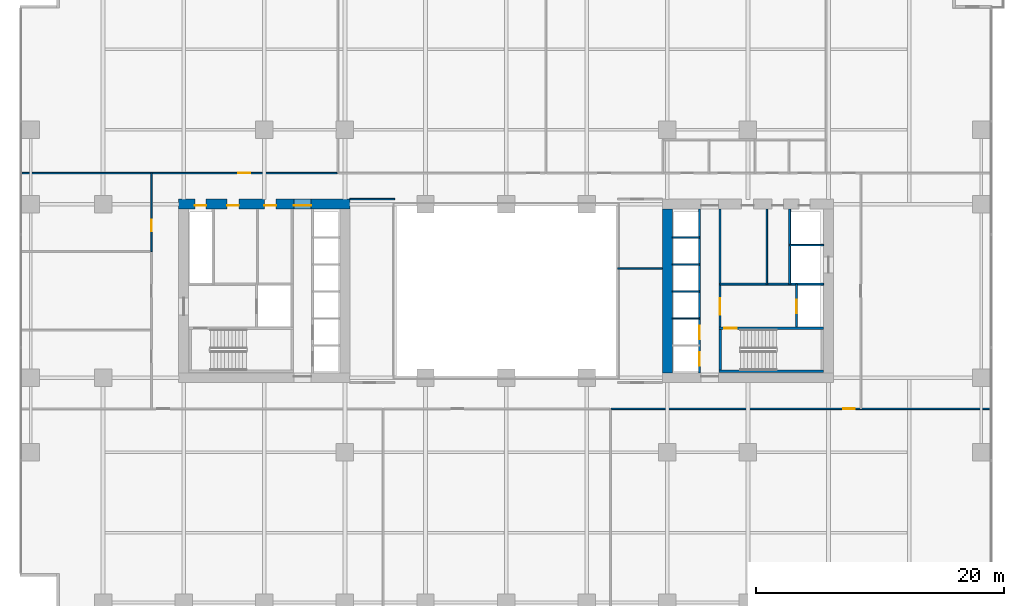
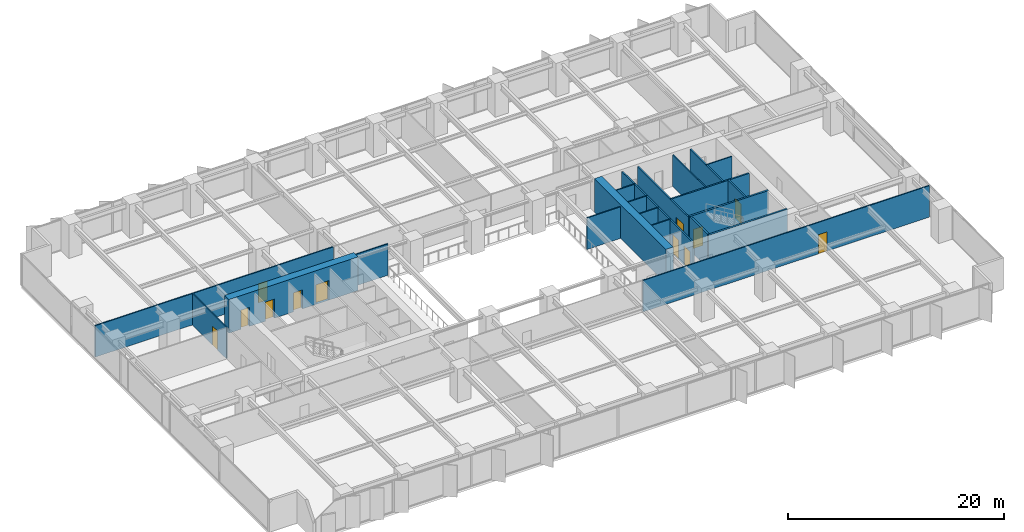
# One storey, part 14 of 20: 21 walls, 12 doors, 12 openings.
"""IFC4 building model written with IfcOpenShell, lengths in metres."""

from ifc_helpers import new_model, si_unit, direction, frame, frame_2d, origin, place, context, subcontext, project, spatial, rectangle, extrude, material, layer, layer_set, type_object, element, fill, save


model = new_model("IFC4")

# Units and contexts
model_context = context("Model", 3, precision=1e-05, world=origin(), true_north=direction((0.0, 1.0)))
body_context = subcontext(model_context, "Body", "Model", "MODEL_VIEW")
ifc_project = project(units=[si_unit("LENGTHUNIT", "METRE"), si_unit("AREAUNIT", "SQUARE_METRE"), si_unit("VOLUMEUNIT", "CUBIC_METRE"), si_unit("PLANEANGLEUNIT", "RADIAN"), si_unit("MASSUNIT", "GRAM", prefix="KILO")], contexts=[model_context])

# Site, building, storey
site_placement = place(None, origin())
site = spatial("IfcSite", under=ifc_project, at=site_placement, CompositionType="ELEMENT")
building_placement = place(site_placement, origin())
building = spatial("IfcBuilding", under=site, at=building_placement, Name="Putna Gate Headquarters", CompositionType="ELEMENT")
storey_placement = place(building_placement, frame((0.0, 0.0, 58.199951171875)))
storey = spatial("IfcBuildingStorey", under=building, at=storey_placement, Name="L13", CompositionType="ELEMENT", Elevation=58.199951171875)

# Wall, openings, doors
ifc_material_1 = material(Name="Concrete C60/75", Category="concrete")
ifc_layer_1 = layer(ifc_material_1, 0.800048828125)
ifc_layer_set_1 = layer_set([ifc_layer_1], Name="Concrete C60/75")
wall_type_1 = type_object("IfcWallType", Name="WALL-CORE-800", PredefinedType="SHEAR", material=ifc_layer_set_1)
wall_1_placement = place(storey_placement, frame((12.60009765625, 33.0, 0.0), z_axis=(0.0, 0.0, 1.0), x_axis=(1.0, 0.0, 0.0)))
wall_1 = element("IfcWall", 1, at=wall_1_placement, inside=storey, type_object=wall_type_1, Name="L13 WC Split Core Shear Wall N", PredefinedType="SHEAR", context=body_context, shape_type="SweptSolid", body=[
    extrude(rectangle(XDim=13.7998046875, YDim=0.800048828125, at=frame_2d((6.89990234375, 0.0))), origin(), (0.0, 0.0, 1.0), 3.800048828125),
])
opening_1_placement = place(wall_1_placement, frame((1.300048828125, 0.0, 0.0)))
opening_1 = element("IfcOpeningElement", 2, at=opening_1_placement, cuts=wall_1, Name="Opening RD-90", PredefinedType="OPENING", context=body_context, shape_type="SweptSolid", body=[
    extrude(rectangle(XDim=0.89990234375, YDim=2.14990234375, at=frame_2d((0.449951171875, 1.074951171875))), frame((0.0, 0.409912109375, 0.0), z_axis=(0.0, -1.0, 0.0), x_axis=(1.0, 0.0, 0.0)), (0.0, 0.0, 1.0), 0.820068359375),
])
opening_2_placement = place(wall_1_placement, frame((3.89990234375, 0.0, 0.0)))
opening_2 = element("IfcOpeningElement", 3, at=opening_2_placement, cuts=wall_1, Name="Opening IDS-95", PredefinedType="OPENING", context=body_context, shape_type="SweptSolid", body=[
    extrude(rectangle(XDim=0.949951171875, YDim=2.14990234375, at=frame_2d((0.47509765625, 1.074951171875))), frame((0.0, 0.409912109375, 0.0), z_axis=(0.0, -1.0, 0.0), x_axis=(1.0, 0.0, 0.0)), (0.0, 0.0, 1.0), 0.820068359375),
])
opening_3_placement = place(wall_1_placement, frame((6.89990234375, 0.0, 0.0)))
opening_3 = element("IfcOpeningElement", 4, at=opening_3_placement, cuts=wall_1, Name="Opening IDS-95", PredefinedType="OPENING", context=body_context, shape_type="SweptSolid", body=[
    extrude(rectangle(XDim=0.949951171875, YDim=2.14990234375, at=frame_2d((0.47509765625, 1.074951171875))), frame((0.0, 0.409912109375, 0.0), z_axis=(0.0, -1.0, 0.0), x_axis=(1.0, 0.0, 0.0)), (0.0, 0.0, 1.0), 0.820068359375),
])
opening_4_placement = place(wall_1_placement, frame((9.280029296875, 0.0, 0.0)))
opening_4 = element("IfcOpeningElement", 5, at=opening_4_placement, cuts=wall_1, Name="Opening FDD-140", PredefinedType="OPENING", context=body_context, shape_type="SweptSolid", body=[
    extrude(rectangle(XDim=1.39990234375, YDim=2.199951171875, at=frame_2d((0.699951171875, 1.10009765625))), frame((0.0, 0.409912109375, 0.0), z_axis=(0.0, -1.0, 0.0), x_axis=(1.0, 0.0, 0.0)), (0.0, 0.0, 1.0), 0.820068359375),
])
ifc_material_2 = material(Name="Double steel fire door", Category="steel")
door_type_1 = type_object("IfcDoorType", Name="DOOR-FIRE-DBL-1400", OperationType="DOUBLE_DOOR_SINGLE_SWING", PredefinedType="DOOR", material=ifc_material_2)
door_1_placement = place(opening_4_placement, origin())
door_1 = element("IfcDoor", 6, at=door_1_placement, inside=storey, type_object=door_type_1, Name="L13 West Lift Lobby North Door", OperationType="DOUBLE_DOOR_SINGLE_SWING", OverallHeight=2.199951171875, OverallWidth=1.39990234375, PredefinedType="DOOR", context=body_context, shape_type="SweptSolid", body=[
    extrude(rectangle(XDim=1.39990234375, YDim=2.199951171875, at=frame_2d((0.699951171875, 1.10009765625))), frame((0.0, -0.0751953125, 0.0), z_axis=(0.0, -1.0, 0.0), x_axis=(1.0, 0.0, 0.0)), (0.0, 0.0, 1.0), 0.050048828125),
])
fill(opening_4, door_1)
ifc_material_3 = material(Name="Fire-rated service timber door", Category="wood")
door_type_2 = type_object("IfcDoorType", Name="DOOR-INT-950", OperationType="NOTDEFINED", PredefinedType="DOOR", material=ifc_material_3)
door_2_placement = place(opening_2_placement, origin())
door_2 = element("IfcDoor", 7, at=door_2_placement, inside=storey, type_object=door_type_2, Name="L13 Cleaner Store Door", OperationType="SINGLE_SWING_LEFT", OverallHeight=2.14990234375, OverallWidth=0.949951171875, PredefinedType="DOOR", context=body_context, shape_type="SweptSolid", body=[
    extrude(rectangle(XDim=0.949951171875, YDim=2.14990234375, at=frame_2d((0.47509765625, 1.074951171875))), frame((0.0, -0.0751953125, 0.0), z_axis=(0.0, -1.0, 0.0), x_axis=(1.0, 0.0, 0.0)), (0.0, 0.0, 1.0), 0.050048828125),
])
fill(opening_2, door_2)
door_3_placement = place(opening_3_placement, origin())
door_3 = element("IfcDoor", 8, at=door_3_placement, inside=storey, type_object=door_type_2, Name="L13 Comms Plant Door", OperationType="SINGLE_SWING_RIGHT", OverallHeight=2.14990234375, OverallWidth=0.949951171875, PredefinedType="DOOR", context=body_context, shape_type="SweptSolid", body=[
    extrude(rectangle(XDim=0.949951171875, YDim=2.14990234375, at=frame_2d((0.47509765625, 1.074951171875))), frame((0.0, -0.0751953125, 0.0), z_axis=(0.0, -1.0, 0.0), x_axis=(1.0, 0.0, 0.0)), (0.0, 0.0, 1.0), 0.050048828125),
])
fill(opening_3, door_3)
ifc_material_4 = material(Name="Steel riser access fire door", Category="steel")
door_type_3 = type_object("IfcDoorType", Name="DOOR-RISER-900", OperationType="NOTDEFINED", PredefinedType="DOOR", material=ifc_material_4)
door_4_placement = place(opening_1_placement, origin())
door_4 = element("IfcDoor", 9, at=door_4_placement, inside=storey, type_object=door_type_3, Name="L13 West Riser Access Door", OperationType="SINGLE_SWING_RIGHT", OverallHeight=2.14990234375, OverallWidth=0.89990234375, PredefinedType="DOOR", context=body_context, shape_type="SweptSolid", body=[
    extrude(rectangle(XDim=0.89990234375, YDim=2.14990234375, at=frame_2d((0.449951171875, 1.074951171875))), frame((0.0, -0.0751953125, 0.0), z_axis=(0.0, -1.0, 0.0), x_axis=(1.0, 0.0, 0.0)), (0.0, 0.0, 1.0), 0.050048828125),
])
fill(opening_1, door_4)

# Walls
wall_2_placement = place(storey_placement, frame((52.0, 19.39990234375, 0.0), z_axis=(0.0, 0.0, 1.0), x_axis=(0.0, 1.0, 0.0)))
element("IfcWall", 10, at=wall_2_placement, inside=storey, type_object=wall_type_1, Name="L13 EC Split Core Shear Wall W", PredefinedType="SHEAR", context=body_context, shape_type="SweptSolid", body=[
    extrude(rectangle(XDim=13.2001953125, YDim=0.800048828125, at=frame_2d((6.60009765625, 0.0))), origin(), (0.0, 0.0, 1.0), 3.800048828125),
])
ifc_material_5 = material(Name="Acoustic gypsum board on metal stud")
ifc_layer_2 = layer(ifc_material_5, 0.1201171875)
ifc_layer_set_2 = layer_set([ifc_layer_2], Name="Acoustic gypsum board on metal stud")
wall_type_2 = type_object("IfcWallType", Name="WALL-PART-120", PredefinedType="PARTITIONING", material=ifc_layer_set_2)
for number, where, z_axis, x_axis, name in (
    (11, (26.39990234375, 33.39990234375, 0.0), (0.0, 0.0, 1.0), (1.0, 0.0, 0.0), "L13 Interior Wall PART-L13-ATR-W-N"),
    (12, (48.0, 27.800048828125, 0.0), (0.0, 0.0, 1.0), (1.0, 0.0, 0.0), "L13 Interior Wall PART-L13-ATR-E-DIV"),
):
    element("IfcWall", number, at=place(storey_placement, frame(where, z_axis=z_axis, x_axis=x_axis)), inside=storey, type_object=wall_type_2, Name=name, PredefinedType="PARTITIONING", context=body_context, shape_type="SweptSolid", body=[
        extrude(rectangle(XDim=3.60009765625, YDim=0.1201171875, at=frame_2d((1.800048828125, 0.0))), origin(), (0.0, 0.0, 1.0), 3.550048828125),
    ])
ifc_material_6 = material(Name="Fire-rated shaftwall gypsum board on metal stud")
ifc_layer_3 = layer(ifc_material_6, 0.1201171875)
ifc_layer_set_3 = layer_set([ifc_layer_3], Name="Fire-rated shaftwall gypsum board on metal stud")
wall_type_3 = type_object("IfcWallType", Name="WALL-PART-120-EI120", PredefinedType="PARTITIONING", material=ifc_layer_set_3)
for number, where, z_axis, x_axis, name in (
    (13, (52.39990234375, 23.780029296875, 0.0), (0.0, 0.0, 1.0), (1.0, 0.0, 0.0), "L13 Interior Wall CWINT-L13-EC-LF04-DIV"),
    (14, (52.39990234375, 25.949951171875, 0.0), (0.0, 0.0, 1.0), (1.0, 0.0, 0.0), "L13 Interior Wall CWINT-L13-EC-LF07-DIV"),
    (15, (52.39990234375, 28.1201171875, 0.0), (0.0, 0.0, 1.0), (1.0, 0.0, 0.0), "L13 Interior Wall CWINT-L13-EC-LF08-DIV"),
    (16, (52.39990234375, 30.31005859375, 0.0), (0.0, 0.0, 1.0), (1.0, 0.0, 0.0), "L13 Interior Wall CWINT-L13-EC-LF11-DIV"),
):
    element("IfcWall", number, at=place(storey_placement, frame(where, z_axis=z_axis, x_axis=x_axis)), inside=storey, type_object=wall_type_3, Name=name, PredefinedType="PARTITIONING", context=body_context, shape_type="SweptSolid", body=[
        extrude(rectangle(XDim=2.2001953125, YDim=0.1201171875, at=frame_2d((1.10009765625, 0.0))), origin(), (0.0, 0.0, 1.0), 3.550048828125),
    ])
wall_3_placement = place(storey_placement, frame((61.8701171875, 29.699951171875, 0.0), z_axis=(0.0, 0.0, 1.0), x_axis=(1.0, 0.0, 0.0)))
element("IfcWall", 17, at=wall_3_placement, inside=storey, type_object=wall_type_3, Name="L13 Interior Wall CWINT-L13-EC-LF15-N", PredefinedType="PARTITIONING", context=body_context, shape_type="SweptSolid", body=[
    extrude(rectangle(XDim=2.72998046875, YDim=0.1201171875, at=frame_2d((1.364990234375, 0.0))), origin(), (0.0, 0.0, 1.0), 3.550048828125),
])
ifc_material_7 = material(Name="Fire-rated gypsum board on metal stud")
ifc_layer_4 = layer(ifc_material_7, 0.1201171875)
ifc_layer_set_4 = layer_set([ifc_layer_4], Name="Fire-rated gypsum board on metal stud")
wall_type_4 = type_object("IfcWallType", Name="WALL-PART-120-RATED", PredefinedType="PARTITIONING", material=ifc_layer_set_4)
wall_4_placement = place(storey_placement, frame((60.02001953125, 26.56005859375, 0.0), z_axis=(0.0, 0.0, 1.0), x_axis=(0.0, 1.0, 0.0)))
element("IfcWall", 18, at=wall_4_placement, inside=storey, type_object=wall_type_4, Name="L13 Interior Wall CWINT-L13-EC-K0-DIV", PredefinedType="PARTITIONING", context=body_context, shape_type="SweptSolid", body=[
    extrude(rectangle(XDim=6.0400390625, YDim=0.1201171875, at=frame_2d((3.02001953125, 0.0))), origin(), (0.0, 0.0, 1.0), 3.550048828125),
])

# Wall, opening, door
wall_5_placement = place(storey_placement, frame((-0.02001953125, 35.5, 0.0), z_axis=(0.0, 0.0, 1.0), x_axis=(1.0, 0.0, 0.0)))
wall_5 = element("IfcWall", 19, at=wall_5_placement, inside=storey, type_object=wall_type_4, Name="L13 Interior Wall PART-L13-NB-CW-01", PredefinedType="PARTITIONING", context=body_context, shape_type="SweptSolid", body=[
    extrude(rectangle(XDim=25.396240234375, YDim=0.1201171875, at=frame_2d((12.6982421875, 0.0))), origin(), (0.0, 0.0, 1.0), 3.550048828125),
])
opening_5_placement = place(wall_5_placement, frame((17.43310546875, 0.0, 0.0)))
opening_5 = element("IfcOpeningElement", 20, at=opening_5_placement, cuts=wall_5, Name="Opening FD-95", PredefinedType="OPENING", context=body_context, shape_type="SweptSolid", body=[
    extrude(rectangle(XDim=0.949951171875, YDim=2.14990234375, at=frame_2d((0.47509765625, 1.074951171875))), frame((0.0, 0.070068359375, 0.0), z_axis=(0.0, -1.0, 0.0), x_axis=(1.0, 0.0, 0.0)), (0.0, 0.0, 1.0), 0.14013671875),
])
ifc_material_8 = material(Name="Acoustic timber fire door", Category="wood")
door_type_4 = type_object("IfcDoorType", Name="DOOR-FIRE-950", OperationType="NOTDEFINED", PredefinedType="DOOR", material=ifc_material_8)
door_5_placement = place(opening_5_placement, origin())
door_5 = element("IfcDoor", 21, at=door_5_placement, inside=storey, type_object=door_type_4, Name="L13 Cellular Office 1 Door", OperationType="SINGLE_SWING_RIGHT", OverallHeight=2.14990234375, OverallWidth=0.949951171875, PredefinedType="DOOR", context=body_context, shape_type="SweptSolid", body=[
    extrude(rectangle(XDim=0.949951171875, YDim=2.14990234375, at=frame_2d((0.47509765625, 1.074951171875))), frame((0.0, 0.02490234375, 0.0), z_axis=(0.0, -1.0, 0.0), x_axis=(1.0, 0.0, 0.0)), (0.0, 0.0, 1.0), 0.050048828125),
])
fill(opening_5, door_5)

wall_6_placement = place(storey_placement, frame((47.46484375, 16.5, 0.0), z_axis=(0.0, 0.0, 1.0), x_axis=(1.0, 0.0, 0.0)))
wall_6 = element("IfcWall", 22, at=wall_6_placement, inside=storey, type_object=wall_type_4, Name="L13 Interior Wall PART-L13-SB-CW-03", PredefinedType="PARTITIONING", context=body_context, shape_type="SweptSolid", body=[
    extrude(rectangle(XDim=30.55517578125, YDim=0.1201171875, at=frame_2d((15.277587890625, 0.0))), origin(), (0.0, 0.0, 1.0), 3.550048828125),
])
opening_6_placement = place(wall_6_placement, frame((18.705078125, 0.0, 0.0)))
opening_6 = element("IfcOpeningElement", 23, at=opening_6_placement, cuts=wall_6, Name="Opening FD-95", PredefinedType="OPENING", context=body_context, shape_type="SweptSolid", body=[
    extrude(rectangle(XDim=0.949951171875, YDim=2.14990234375, at=frame_2d((0.47509765625, 1.074951171875))), frame((0.0, 0.070068359375, 0.0), z_axis=(0.0, -1.0, 0.0), x_axis=(1.0, 0.0, 0.0)), (0.0, 0.0, 1.0), 0.14013671875),
])
door_6_placement = place(opening_6_placement, origin())
door_6 = element("IfcDoor", 24, at=door_6_placement, inside=storey, type_object=door_type_4, Name="L13 Conference Meeting Room 2 Door", OperationType="SINGLE_SWING_RIGHT", OverallHeight=2.14990234375, OverallWidth=0.949951171875, PredefinedType="DOOR", context=body_context, shape_type="SweptSolid", body=[
    extrude(rectangle(XDim=0.949951171875, YDim=2.14990234375, at=frame_2d((0.47509765625, 1.074951171875))), frame((0.0, 0.02490234375, 0.0), z_axis=(0.0, -1.0, 0.0), x_axis=(1.0, 0.0, 0.0)), (0.0, 0.0, 1.0), 0.050048828125),
])
fill(opening_6, door_6)

wall_7_placement = place(storey_placement, frame((10.39990234375, 29.166748046875, 0.0), z_axis=(0.0, 0.0, 1.0), x_axis=(0.0, 1.0, 0.0)))
wall_7 = element("IfcWall", 25, at=wall_7_placement, inside=storey, type_object=wall_type_4, Name="L13 Interior Wall PART-L13-WW-CW-3", PredefinedType="PARTITIONING", context=body_context, shape_type="SweptSolid", body=[
    extrude(rectangle(XDim=6.333251953125, YDim=0.1201171875, at=frame_2d((3.16650390625, 0.0))), origin(), (0.0, 0.0, 1.0), 3.550048828125),
])
opening_7_placement = place(wall_7_placement, frame((1.6416015625, 0.0, 0.0)))
opening_7 = element("IfcOpeningElement", 26, at=opening_7_placement, cuts=wall_7, Name="Opening FD-95", PredefinedType="OPENING", context=body_context, shape_type="SweptSolid", body=[
    extrude(rectangle(XDim=0.949951171875, YDim=2.14990234375, at=frame_2d((0.47509765625, 1.074951171875))), frame((0.0, 0.070068359375, 0.0), z_axis=(0.0, -1.0, 0.0), x_axis=(1.0, 0.0, 0.0)), (0.0, 0.0, 1.0), 0.14013671875),
])
door_7_placement = place(opening_7_placement, origin())
door_7 = element("IfcDoor", 27, at=door_7_placement, inside=storey, type_object=door_type_4, Name="L13 West Project Meeting Room 3 Door", OperationType="SINGLE_SWING_LEFT", OverallHeight=2.14990234375, OverallWidth=0.949951171875, PredefinedType="DOOR", context=body_context, shape_type="SweptSolid", body=[
    extrude(rectangle(XDim=0.949951171875, YDim=2.14990234375, at=frame_2d((0.47509765625, 1.074951171875))), frame((0.0, 0.02490234375, 0.0), z_axis=(0.0, -1.0, 0.0), x_axis=(1.0, 0.0, 0.0)), (0.0, 0.0, 1.0), 0.050048828125),
])
fill(opening_7, door_7)

# Wall, openings, doors
ifc_material_9 = material(Name="Concrete C40/50", Category="concrete")
ifc_layer_5 = layer(ifc_material_9, 0.159912109375)
ifc_layer_set_5 = layer_set([ifc_layer_5], Name="Concrete C40/50")
wall_type_5 = type_object("IfcWallType", Name="WALL-SHAFT-160", PredefinedType="STANDARD", material=ifc_layer_set_5)
wall_8_placement = place(storey_placement, frame((54.60009765625, 19.39990234375, 0.0), z_axis=(0.0, 0.0, 1.0), x_axis=(0.0, 1.0, 0.0)))
wall_8 = element("IfcWall", 28, at=wall_8_placement, inside=storey, type_object=wall_type_5, Name="L13 Interior Wall CWINT-L13-EC-PL-WALL", PredefinedType="STANDARD", context=body_context, shape_type="SweptSolid", body=[
    extrude(rectangle(XDim=13.2001953125, YDim=0.159912109375, at=frame_2d((6.60009765625, 0.0))), origin(), (0.0, 0.0, 1.0), 3.550048828125),
])
opening_8_placement = place(wall_8_placement, frame((0.550048828125, 0.0, 0.0)))
opening_8 = element("IfcOpeningElement", 29, at=opening_8_placement, cuts=wall_8, Name="Opening LD-1", PredefinedType="OPENING", context=body_context, shape_type="SweptSolid", body=[
    extrude(rectangle(XDim=1.10009765625, YDim=2.199951171875, at=frame_2d((0.550048828125, 1.10009765625))), frame((0.0, 0.08984375, 0.0), z_axis=(0.0, -1.0, 0.0), x_axis=(1.0, 0.0, 0.0)), (0.0, 0.0, 1.0), 0.179931640625),
])
opening_9_placement = place(wall_8_placement, frame((2.699951171875, 0.0, 0.0)))
opening_9 = element("IfcOpeningElement", 30, at=opening_9_placement, cuts=wall_8, Name="Opening LD-1", PredefinedType="OPENING", context=body_context, shape_type="SweptSolid", body=[
    extrude(rectangle(XDim=1.10009765625, YDim=2.199951171875, at=frame_2d((0.550048828125, 1.10009765625))), frame((0.0, 0.08984375, 0.0), z_axis=(0.0, -1.0, 0.0), x_axis=(1.0, 0.0, 0.0)), (0.0, 0.0, 1.0), 0.179931640625),
])
ifc_material_10 = material(Name="Brushed bronze stainless lift landing door")
door_type_5 = type_object("IfcDoorType", Name="DOOR-LIFT-1100", OperationType="DOUBLE_DOOR_SLIDING", PredefinedType="DOOR", material=ifc_material_10)
door_8_placement = place(opening_8_placement, origin())
door_8 = element("IfcDoor", 31, at=door_8_placement, inside=storey, type_object=door_type_5, Name="L13 Lift Landing Door LD-03", OperationType="DOUBLE_DOOR_SLIDING", OverallHeight=2.199951171875, OverallWidth=1.10009765625, PredefinedType="DOOR", context=body_context, shape_type="SweptSolid", body=[
    extrude(rectangle(XDim=1.10009765625, YDim=2.199951171875, at=frame_2d((0.550048828125, 1.10009765625))), frame((0.0, 0.02490234375, 0.0), z_axis=(0.0, -1.0, 0.0), x_axis=(1.0, 0.0, 0.0)), (0.0, 0.0, 1.0), 0.050048828125),
])
fill(opening_8, door_8)
door_9_placement = place(opening_9_placement, origin())
door_9 = element("IfcDoor", 32, at=door_9_placement, inside=storey, type_object=door_type_5, Name="L13 Lift Landing Door LD-04", OperationType="DOUBLE_DOOR_SLIDING", OverallHeight=2.199951171875, OverallWidth=1.10009765625, PredefinedType="DOOR", context=body_context, shape_type="SweptSolid", body=[
    extrude(rectangle(XDim=1.10009765625, YDim=2.199951171875, at=frame_2d((0.550048828125, 1.10009765625))), frame((0.0, 0.02490234375, 0.0), z_axis=(0.0, -1.0, 0.0), x_axis=(1.0, 0.0, 0.0)), (0.0, 0.0, 1.0), 0.050048828125),
])
fill(opening_9, door_9)

# Wall, opening, door
wall_9_placement = place(storey_placement, frame((56.260009765625, 23.090087890625, 0.0), z_axis=(0.0, 0.0, 1.0), x_axis=(0.0, 1.0, 0.0)))
wall_9 = element("IfcWall", 33, at=wall_9_placement, inside=storey, type_object=wall_type_5, Name="L13 Interior Wall CWINT-L13-EC-LOB-E", PredefinedType="STANDARD", context=body_context, shape_type="SweptSolid", body=[
    extrude(rectangle(XDim=9.510009765625, YDim=0.159912109375, at=frame_2d((4.7548828125, 0.0))), origin(), (0.0, 0.0, 1.0), 3.550048828125),
])
opening_10_placement = place(wall_9_placement, frame((1.010009765625, 0.0, 0.0)))
opening_10 = element("IfcOpeningElement", 34, at=opening_10_placement, cuts=wall_9, Name="Opening FDD-130", PredefinedType="OPENING", context=body_context, shape_type="SweptSolid", body=[
    extrude(rectangle(XDim=1.300048828125, YDim=2.199951171875, at=frame_2d((0.64990234375, 1.10009765625))), frame((0.0, 0.08984375, 0.0), z_axis=(0.0, -1.0, 0.0), x_axis=(1.0, 0.0, 0.0)), (0.0, 0.0, 1.0), 0.179931640625),
])
ifc_material_11 = material(Name="Double steel lobby fire door", Category="steel")
door_type_6 = type_object("IfcDoorType", Name="DOOR-FIRE-DBL-1300", OperationType="DOUBLE_DOOR_SINGLE_SWING", PredefinedType="DOOR", material=ifc_material_11)
door_10_placement = place(opening_10_placement, origin())
door_10 = element("IfcDoor", 35, at=door_10_placement, inside=storey, type_object=door_type_6, Name="L13 East Firefighting Lobby Door", OperationType="DOUBLE_DOOR_SINGLE_SWING", OverallHeight=2.199951171875, OverallWidth=1.300048828125, PredefinedType="DOOR", context=body_context, shape_type="SweptSolid", body=[
    extrude(rectangle(XDim=1.300048828125, YDim=2.199951171875, at=frame_2d((0.64990234375, 1.10009765625))), frame((0.0, 0.02490234375, 0.0), z_axis=(0.0, -1.0, 0.0), x_axis=(1.0, 0.0, 0.0)), (0.0, 0.0, 1.0), 0.050048828125),
])
fill(opening_10, door_10)

wall_10_placement = place(storey_placement, frame((62.429931640625, 23.090087890625, 0.0), z_axis=(0.0, 0.0, 1.0), x_axis=(0.0, 1.0, 0.0)))
wall_10 = element("IfcWall", 36, at=wall_10_placement, inside=storey, type_object=wall_type_5, Name="L13 Interior Wall CWINT-L13-EC-LF14-W", PredefinedType="STANDARD", context=body_context, shape_type="SweptSolid", body=[
    extrude(rectangle(XDim=3.469970703125, YDim=0.159912109375, at=frame_2d((1.73486328125, 0.0))), origin(), (0.0, 0.0, 1.0), 3.550048828125),
])
opening_11_placement = place(wall_10_placement, frame((1.10009765625, 0.0, 0.0)))
opening_11 = element("IfcOpeningElement", 37, at=opening_11_placement, cuts=wall_10, Name="Opening LD-1", PredefinedType="OPENING", context=body_context, shape_type="SweptSolid", body=[
    extrude(rectangle(XDim=1.10009765625, YDim=2.199951171875, at=frame_2d((0.550048828125, 1.10009765625))), frame((0.0, 0.08984375, 0.0), z_axis=(0.0, -1.0, 0.0), x_axis=(1.0, 0.0, 0.0)), (0.0, 0.0, 1.0), 0.179931640625),
])
door_11_placement = place(opening_11_placement, origin())
door_11 = element("IfcDoor", 38, at=door_11_placement, inside=storey, type_object=door_type_5, Name="L13 Lift Landing Door LD-14", OperationType="DOUBLE_DOOR_SLIDING", OverallHeight=2.199951171875, OverallWidth=1.10009765625, PredefinedType="DOOR", context=body_context, shape_type="SweptSolid", body=[
    extrude(rectangle(XDim=1.10009765625, YDim=2.199951171875, at=frame_2d((0.550048828125, 1.10009765625))), frame((0.0, 0.02490234375, 0.0), z_axis=(0.0, -1.0, 0.0), x_axis=(1.0, 0.0, 0.0)), (0.0, 0.0, 1.0), 0.050048828125),
])
fill(opening_11, door_11)

# Walls
wall_11_placement = place(storey_placement, frame((56.260009765625, 26.56005859375, 0.0), z_axis=(0.0, 0.0, 1.0), x_axis=(1.0, 0.0, 0.0)))
element("IfcWall", 39, at=wall_11_placement, inside=storey, type_object=wall_type_5, Name="L13 Interior Wall CWINT-L13-EC-FFL-N", PredefinedType="STANDARD", context=body_context, shape_type="SweptSolid", body=[
    extrude(rectangle(XDim=8.340087890625, YDim=0.159912109375, at=frame_2d((4.169921875, 0.0))), origin(), (0.0, 0.0, 1.0), 3.550048828125),
])
wall_12_placement = place(storey_placement, frame((61.8701171875, 26.56005859375, 0.0), z_axis=(0.0, 0.0, 1.0), x_axis=(0.0, 1.0, 0.0)))
element("IfcWall", 40, at=wall_12_placement, inside=storey, type_object=wall_type_5, Name="L13 Interior Wall CWINT-L13-EC-LF15-W", PredefinedType="STANDARD", context=body_context, shape_type="SweptSolid", body=[
    extrude(rectangle(XDim=6.0400390625, YDim=0.159912109375, at=frame_2d((3.02001953125, 0.0))), origin(), (0.0, 0.0, 1.0), 3.550048828125),
])
ifc_layer_6 = layer(ifc_material_9, 0.199951171875)
ifc_layer_set_6 = layer_set([ifc_layer_6], Name="Concrete C40/50")
wall_type_6 = type_object("IfcWallType", Name="WALL-SHAFT-RC200", PredefinedType="SHEAR", material=ifc_layer_set_6)
wall_13_placement = place(storey_placement, frame((56.159912109375, 19.510009765625, 0.0), z_axis=(0.0, 0.0, 1.0), x_axis=(1.0, 0.0, 0.0)))
element("IfcWall", 41, at=wall_13_placement, inside=storey, type_object=wall_type_6, Name="L13 Stair ST2 Structural Shaft Wall S", PredefinedType="SHEAR", context=body_context, shape_type="SweptSolid", body=[
    extrude(rectangle(XDim=8.43017578125, YDim=0.199951171875, at=frame_2d((4.215087890625, 0.0))), origin(), (0.0, 0.0, 1.0), 3.800048828125),
])

# Wall, opening, door
wall_14_placement = place(storey_placement, frame((56.159912109375, 22.989990234375, 0.0), z_axis=(0.0, 0.0, 1.0), x_axis=(1.0, 0.0, 0.0)))
wall_14 = element("IfcWall", 42, at=wall_14_placement, inside=storey, type_object=wall_type_6, Name="L13 Stair ST2 Structural Shaft Wall N", PredefinedType="SHEAR", context=body_context, shape_type="SweptSolid", body=[
    extrude(rectangle(XDim=8.43017578125, YDim=0.199951171875, at=frame_2d((4.215087890625, 0.0))), origin(), (0.0, 0.0, 1.0), 3.800048828125),
])
opening_12_placement = place(wall_14_placement, frame((0.449951171875, 0.0, 0.0)))
opening_12 = element("IfcOpeningElement", 43, at=opening_12_placement, cuts=wall_14, Name="Opening FD-100", PredefinedType="OPENING", context=body_context, shape_type="SweptSolid", body=[
    extrude(rectangle(XDim=1.0, YDim=2.14990234375, at=frame_2d((0.5, 1.074951171875))), frame((0.0, 0.10986328125, 0.0), z_axis=(0.0, -1.0, 0.0), x_axis=(1.0, 0.0, 0.0)), (0.0, 0.0, 1.0), 0.219970703125),
])
ifc_material_12 = material(Name="Powder-coated steel fire door", Category="steel")
door_type_7 = type_object("IfcDoorType", Name="DOOR-FIRE-1000", OperationType="NOTDEFINED", PredefinedType="DOOR", material=ifc_material_12)
door_12_placement = place(opening_12_placement, origin())
door_12 = element("IfcDoor", 44, at=door_12_placement, inside=storey, type_object=door_type_7, Name="L13 Stair ST2 Fire Door", OperationType="SINGLE_SWING_RIGHT", OverallHeight=2.14990234375, OverallWidth=1.0, PredefinedType="DOOR", context=body_context, shape_type="SweptSolid", body=[
    extrude(rectangle(XDim=1.0, YDim=2.14990234375, at=frame_2d((0.5, 1.074951171875))), frame((0.0, 0.02490234375, 0.0), z_axis=(0.0, -1.0, 0.0), x_axis=(1.0, 0.0, 0.0)), (0.0, 0.0, 1.0), 0.050048828125),
])
fill(opening_12, door_12)

# Wall
wall_15_placement = place(storey_placement, frame((56.260009765625, 19.610107421875, 0.0), z_axis=(0.0, 0.0, 1.0), x_axis=(0.0, 1.0, 0.0)))
element("IfcWall", 45, at=wall_15_placement, inside=storey, type_object=wall_type_6, Name="L13 Stair ST2 Structural Shaft Wall W", PredefinedType="SHEAR", context=body_context, shape_type="SweptSolid", body=[
    extrude(rectangle(XDim=3.27978515625, YDim=0.199951171875, at=frame_2d((1.639892578125, 0.0))), origin(), (0.0, 0.0, 1.0), 3.800048828125),
])

save(model, "model.ifc")
